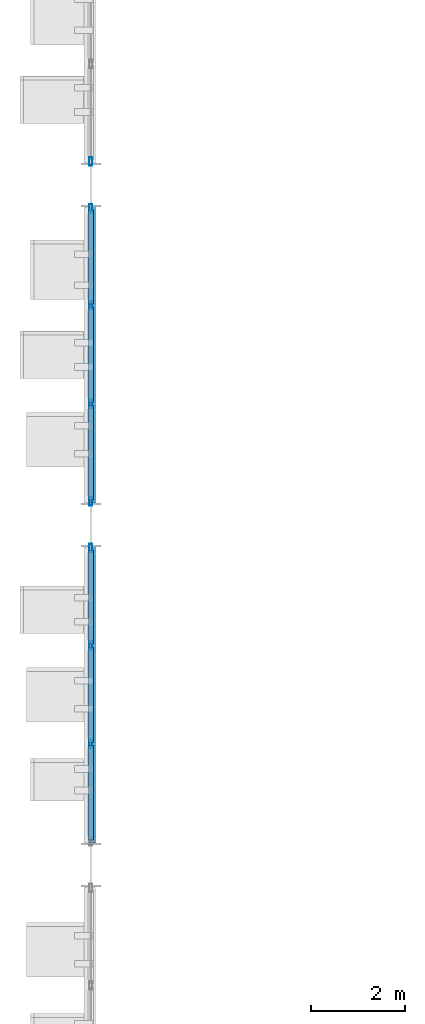
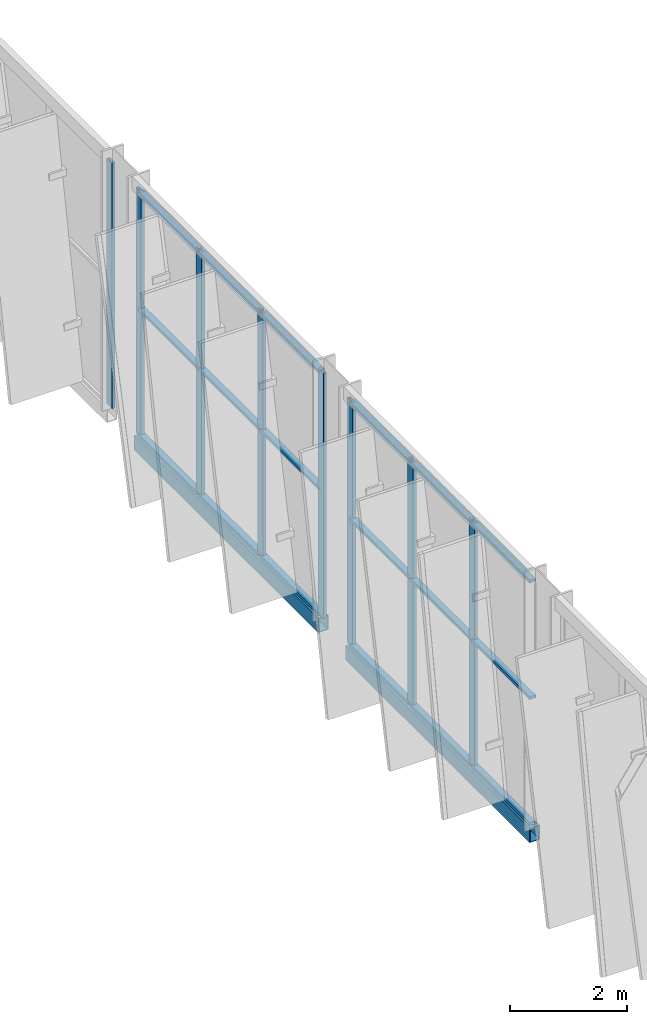
# One storey, part 23 of 189: 26 members, 2 beams, 3 elements without a shape of their own.
"""IFC4 building model written with IfcOpenShell, lengths in metres."""

from ifc_helpers import new_model, si_unit, direction, frame, origin, origin_2d, place, context, subcontext, project, spatial, hollow_rectangle, extrude, material, layer, layer_set, material_profile, profile_set, type_object, element, aggregate, save


model = new_model("IFC4")

# Units and contexts
model_context = context("Model", 3, precision=1e-05, world=origin(), true_north=direction((0.0, 1.0)))
body_context = subcontext(model_context, "Body", "Model", "MODEL_VIEW")
ifc_project = project(units=[si_unit("LENGTHUNIT", "METRE"), si_unit("AREAUNIT", "SQUARE_METRE"), si_unit("VOLUMEUNIT", "CUBIC_METRE"), si_unit("PLANEANGLEUNIT", "RADIAN"), si_unit("MASSUNIT", "GRAM", prefix="KILO")], contexts=[model_context])

# Site, building, storey
site_placement = place(None, origin())
site = spatial("IfcSite", under=ifc_project, at=site_placement, CompositionType="ELEMENT")
building_placement = place(site_placement, origin())
building = spatial("IfcBuilding", under=site, at=building_placement, Name="Celestram Park Convention Centre", CompositionType="ELEMENT")
storey_placement = place(building_placement, frame((0.0, 0.0, 5.39990234375)))
storey = spatial("IfcBuildingStorey", under=building, at=storey_placement, Name="L01", CompositionType="ELEMENT", Elevation=5.39990234375)

# Curtain wall, members
ifc_material_1 = material(Name="Anodised Aluminium Alloy 6063-T6", Category="aluminium")
ifc_layer = layer(ifc_material_1, 0.179931640625)
ifc_layer_set = layer_set([ifc_layer], Name="Anodised Aluminium Alloy 6063-T6")
curtain_wall_type = type_object("IfcCurtainWallType", Name="ARC-CW-627X510", PredefinedType="NOTDEFINED", material=ifc_layer_set)
curtain_wall_1_placement = place(storey_placement, origin())
curtain_wall_1 = element("IfcCurtainWall", 1, at=curtain_wall_1_placement, inside=storey, type_object=curtain_wall_type, Name="Unitised curtain wall CU-L01-115", PredefinedType="NOTDEFINED")
ifc_material_profile_1 = material_profile(ifc_material_1, hollow_rectangle(XDim=0.06494140625, YDim=0.179931640625, WallThickness=0.00390625, at=origin_2d()), Name="ALU65X180X4")
ifc_profile_set_1 = profile_set([ifc_material_profile_1], Name="Anodised Aluminium Alloy 6063-T6")
member_type_1 = type_object("IfcMemberType", Name="ARC-CWM-150", PredefinedType="MULLION", material=ifc_profile_set_1)
member_1_placement = place(storey_placement, frame((0.0, 45.754638671875, 0.0), z_axis=(0.0, 0.0, 1.0), x_axis=(-1.0, 0.0, 0.0)))
member_1 = element("IfcMember", 2, at=member_1_placement, type_object=member_type_1, Name="CW-62X51 mullion 2", PredefinedType="MULLION", context=body_context, shape_type="SweptSolid", body=[
    extrude(hollow_rectangle(XDim=0.06494140625, YDim=0.179931640625, WallThickness=0.00390625, at=origin_2d()), origin(), (0.0, 0.0, 1.0), 5.10009765625),
])
member_2_placement = place(storey_placement, frame((0.0, 47.84521484375, 0.0), z_axis=(0.0, 0.0, 1.0), x_axis=(-1.0, 0.0, 0.0)))
member_2 = element("IfcMember", 3, at=member_2_placement, type_object=member_type_1, Name="CW-62X51 mullion 3", PredefinedType="MULLION", context=body_context, shape_type="SweptSolid", body=[
    extrude(hollow_rectangle(XDim=0.06494140625, YDim=0.179931640625, WallThickness=0.00390625, at=origin_2d()), origin(), (0.0, 0.0, 1.0), 5.10009765625),
])
member_3_placement = place(storey_placement, frame((0.0, 49.903564453125, 0.0), z_axis=(0.0, 0.0, 1.0), x_axis=(-1.0, 0.0, 0.0)))
member_3 = element("IfcMember", 4, at=member_3_placement, type_object=member_type_1, Name="CW-62X51 mullion 4", PredefinedType="MULLION", context=body_context, shape_type="SweptSolid", body=[
    extrude(hollow_rectangle(XDim=0.06494140625, YDim=0.179931640625, WallThickness=0.00390625, at=origin_2d()), origin(), (0.0, 0.0, 1.0), 5.10009765625),
])

curtain_wall_2_placement = place(storey_placement, origin())
curtain_wall_2 = element("IfcCurtainWall", 5, at=curtain_wall_2_placement, inside=storey, type_object=curtain_wall_type, Name="Unitised curtain wall CU-L01-116", PredefinedType="NOTDEFINED")
member_4_placement = place(storey_placement, frame((0.0, 50.896484375, 0.0), z_axis=(0.0, 0.0, 1.0), x_axis=(-1.0, 0.0, 0.0)))
member_4 = element("IfcMember", 6, at=member_4_placement, type_object=member_type_1, Name="CW-62X51 mullion 1", PredefinedType="MULLION", context=body_context, shape_type="SweptSolid", body=[
    extrude(hollow_rectangle(XDim=0.06494140625, YDim=0.179931640625, WallThickness=0.00390625, at=origin_2d()), origin(), (0.0, 0.0, 1.0), 5.10009765625),
])
member_5_placement = place(storey_placement, frame((0.0, 52.95458984375, 0.0), z_axis=(0.0, 0.0, 1.0), x_axis=(-1.0, 0.0, 0.0)))
member_5 = element("IfcMember", 7, at=member_5_placement, type_object=member_type_1, Name="CW-62X51 mullion 2", PredefinedType="MULLION", context=body_context, shape_type="SweptSolid", body=[
    extrude(hollow_rectangle(XDim=0.06494140625, YDim=0.179931640625, WallThickness=0.00390625, at=origin_2d()), origin(), (0.0, 0.0, 1.0), 5.10009765625),
])
member_6_placement = place(storey_placement, frame((0.0, 55.04541015625, 0.0), z_axis=(0.0, 0.0, 1.0), x_axis=(-1.0, 0.0, 0.0)))
member_6 = element("IfcMember", 8, at=member_6_placement, type_object=member_type_1, Name="CW-62X51 mullion 3", PredefinedType="MULLION", context=body_context, shape_type="SweptSolid", body=[
    extrude(hollow_rectangle(XDim=0.06494140625, YDim=0.179931640625, WallThickness=0.00390625, at=origin_2d()), origin(), (0.0, 0.0, 1.0), 5.10009765625),
])
member_7_placement = place(storey_placement, frame((0.0, 57.103515625, 0.0), z_axis=(0.0, 0.0, 1.0), x_axis=(-1.0, 0.0, 0.0)))
member_7 = element("IfcMember", 9, at=member_7_placement, type_object=member_type_1, Name="CW-62X51 mullion 4", PredefinedType="MULLION", context=body_context, shape_type="SweptSolid", body=[
    extrude(hollow_rectangle(XDim=0.06494140625, YDim=0.179931640625, WallThickness=0.00390625, at=origin_2d()), origin(), (0.0, 0.0, 1.0), 5.10009765625),
])

# Curtain wall, member
curtain_wall_3_placement = place(storey_placement, origin())
curtain_wall_3 = element("IfcCurtainWall", 10, at=curtain_wall_3_placement, inside=storey, type_object=curtain_wall_type, Name="Unitised curtain wall CU-L01-117", PredefinedType="NOTDEFINED")
member_8_placement = place(storey_placement, frame((0.0, 58.096435546875, 0.0), z_axis=(0.0, 0.0, 1.0), x_axis=(-1.0, 0.0, 0.0)))
member_8 = element("IfcMember", 11, at=member_8_placement, type_object=member_type_1, Name="CW-62X51 mullion 1", PredefinedType="MULLION", context=body_context, shape_type="SweptSolid", body=[
    extrude(hollow_rectangle(XDim=0.06494140625, YDim=0.179931640625, WallThickness=0.00390625, at=origin_2d()), origin(), (0.0, 0.0, 1.0), 5.10009765625),
])
aggregate(curtain_wall_3, [member_8])

# Member
ifc_material_profile_2 = material_profile(ifc_material_1, hollow_rectangle(XDim=0.1201171875, YDim=0.06005859375, WallThickness=0.0029296875, at=origin_2d()), Name="ALU120X60X3")
ifc_profile_set_2 = profile_set([ifc_material_profile_2], Name="Anodised Aluminium Alloy 6063-T6")
member_type_2 = type_object("IfcMemberType", Name="ARC-CWT-120", PredefinedType="USERDEFINED", material=ifc_profile_set_2)
member_9_placement = place(storey_placement, frame((0.0, 43.72900390625, 0.030029296875), z_axis=(0.0, 1.0, 0.0), x_axis=(-1.0, 0.0, 0.0)))
member_9 = element("IfcMember", 12, at=member_9_placement, type_object=member_type_2, Name="CW-62X51 transom 1.1", ObjectType="TRANSOM", PredefinedType="USERDEFINED", context=body_context, shape_type="SweptSolid", body=[
    extrude(hollow_rectangle(XDim=0.1201171875, YDim=0.06005859375, WallThickness=0.0029296875, at=origin_2d()), origin(), (0.0, 0.0, 1.0), 1.9931640625),
])

member_10_placement = place(storey_placement, frame((0.0, 43.72900390625, 2.650146484375), z_axis=(0.0, 1.0, 0.0), x_axis=(-1.0, 0.0, 0.0)))
member_10 = element("IfcMember", 13, at=member_10_placement, type_object=member_type_2, Name="CW-62X51 transom 1.2", ObjectType="TRANSOM", PredefinedType="USERDEFINED", context=body_context, shape_type="SweptSolid", body=[
    extrude(hollow_rectangle(XDim=0.1201171875, YDim=0.06005859375, WallThickness=0.0029296875, at=origin_2d()), origin(), (0.0, 0.0, 1.0), 1.9931640625),
])

member_11_placement = place(storey_placement, frame((0.0, 43.72900390625, 5.070068359375), z_axis=(0.0, 1.0, 0.0), x_axis=(-1.0, 0.0, 0.0)))
member_11 = element("IfcMember", 14, at=member_11_placement, type_object=member_type_2, Name="CW-62X51 transom 1.3", ObjectType="TRANSOM", PredefinedType="USERDEFINED", context=body_context, shape_type="SweptSolid", body=[
    extrude(hollow_rectangle(XDim=0.1201171875, YDim=0.06005859375, WallThickness=0.0029296875, at=origin_2d()), origin(), (0.0, 0.0, 1.0), 1.9931640625),
])

member_12_placement = place(storey_placement, frame((0.0, 45.787109375, 0.030029296875), z_axis=(0.0, 1.0, 0.0), x_axis=(-1.0, 0.0, 0.0)))
member_12 = element("IfcMember", 15, at=member_12_placement, type_object=member_type_2, Name="CW-62X51 transom 2.1", ObjectType="TRANSOM", PredefinedType="USERDEFINED", context=body_context, shape_type="SweptSolid", body=[
    extrude(hollow_rectangle(XDim=0.1201171875, YDim=0.06005859375, WallThickness=0.0029296875, at=origin_2d()), origin(), (0.0, 0.0, 1.0), 2.025634765625),
])

member_13_placement = place(storey_placement, frame((0.0, 45.787109375, 2.650146484375), z_axis=(0.0, 1.0, 0.0), x_axis=(-1.0, 0.0, 0.0)))
member_13 = element("IfcMember", 16, at=member_13_placement, type_object=member_type_2, Name="CW-62X51 transom 2.2", ObjectType="TRANSOM", PredefinedType="USERDEFINED", context=body_context, shape_type="SweptSolid", body=[
    extrude(hollow_rectangle(XDim=0.1201171875, YDim=0.06005859375, WallThickness=0.0029296875, at=origin_2d()), origin(), (0.0, 0.0, 1.0), 2.025634765625),
])

member_14_placement = place(storey_placement, frame((0.0, 45.787109375, 5.070068359375), z_axis=(0.0, 1.0, 0.0), x_axis=(-1.0, 0.0, 0.0)))
member_14 = element("IfcMember", 17, at=member_14_placement, type_object=member_type_2, Name="CW-62X51 transom 2.3", ObjectType="TRANSOM", PredefinedType="USERDEFINED", context=body_context, shape_type="SweptSolid", body=[
    extrude(hollow_rectangle(XDim=0.1201171875, YDim=0.06005859375, WallThickness=0.0029296875, at=origin_2d()), origin(), (0.0, 0.0, 1.0), 2.025634765625),
])

member_15_placement = place(storey_placement, frame((0.0, 47.8779296875, 0.030029296875), z_axis=(0.0, 1.0, 0.0), x_axis=(-1.0, 0.0, 0.0)))
member_15 = element("IfcMember", 18, at=member_15_placement, type_object=member_type_2, Name="CW-62X51 transom 3.1", ObjectType="TRANSOM", PredefinedType="USERDEFINED", context=body_context, shape_type="SweptSolid", body=[
    extrude(hollow_rectangle(XDim=0.1201171875, YDim=0.06005859375, WallThickness=0.0029296875, at=origin_2d()), origin(), (0.0, 0.0, 1.0), 1.9931640625),
])

member_16_placement = place(storey_placement, frame((0.0, 47.8779296875, 2.650146484375), z_axis=(0.0, 1.0, 0.0), x_axis=(-1.0, 0.0, 0.0)))
member_16 = element("IfcMember", 19, at=member_16_placement, type_object=member_type_2, Name="CW-62X51 transom 3.2", ObjectType="TRANSOM", PredefinedType="USERDEFINED", context=body_context, shape_type="SweptSolid", body=[
    extrude(hollow_rectangle(XDim=0.1201171875, YDim=0.06005859375, WallThickness=0.0029296875, at=origin_2d()), origin(), (0.0, 0.0, 1.0), 1.9931640625),
])

member_17_placement = place(storey_placement, frame((0.0, 47.8779296875, 5.070068359375), z_axis=(0.0, 1.0, 0.0), x_axis=(-1.0, 0.0, 0.0)))
member_17 = element("IfcMember", 20, at=member_17_placement, type_object=member_type_2, Name="CW-62X51 transom 3.3", ObjectType="TRANSOM", PredefinedType="USERDEFINED", context=body_context, shape_type="SweptSolid", body=[
    extrude(hollow_rectangle(XDim=0.1201171875, YDim=0.06005859375, WallThickness=0.0029296875, at=origin_2d()), origin(), (0.0, 0.0, 1.0), 1.9931640625),
])

aggregate(curtain_wall_1, [member_1, member_2, member_3, member_9, member_10, member_11, member_12, member_13, member_14, member_15, member_16, member_17])

member_18_placement = place(storey_placement, frame((0.0, 50.928955078125, 0.030029296875), z_axis=(0.0, 1.0, 0.0), x_axis=(-1.0, 0.0, 0.0)))
member_18 = element("IfcMember", 21, at=member_18_placement, type_object=member_type_2, Name="CW-62X51 transom 1.1", ObjectType="TRANSOM", PredefinedType="USERDEFINED", context=body_context, shape_type="SweptSolid", body=[
    extrude(hollow_rectangle(XDim=0.1201171875, YDim=0.06005859375, WallThickness=0.0029296875, at=origin_2d()), origin(), (0.0, 0.0, 1.0), 1.9931640625),
])

member_19_placement = place(storey_placement, frame((0.0, 50.928955078125, 2.650146484375), z_axis=(0.0, 1.0, 0.0), x_axis=(-1.0, 0.0, 0.0)))
member_19 = element("IfcMember", 22, at=member_19_placement, type_object=member_type_2, Name="CW-62X51 transom 1.2", ObjectType="TRANSOM", PredefinedType="USERDEFINED", context=body_context, shape_type="SweptSolid", body=[
    extrude(hollow_rectangle(XDim=0.1201171875, YDim=0.06005859375, WallThickness=0.0029296875, at=origin_2d()), origin(), (0.0, 0.0, 1.0), 1.9931640625),
])

member_20_placement = place(storey_placement, frame((0.0, 50.928955078125, 5.070068359375), z_axis=(0.0, 1.0, 0.0), x_axis=(-1.0, 0.0, 0.0)))
member_20 = element("IfcMember", 23, at=member_20_placement, type_object=member_type_2, Name="CW-62X51 transom 1.3", ObjectType="TRANSOM", PredefinedType="USERDEFINED", context=body_context, shape_type="SweptSolid", body=[
    extrude(hollow_rectangle(XDim=0.1201171875, YDim=0.06005859375, WallThickness=0.0029296875, at=origin_2d()), origin(), (0.0, 0.0, 1.0), 1.9931640625),
])

member_21_placement = place(storey_placement, frame((0.0, 52.987060546875, 0.030029296875), z_axis=(0.0, 1.0, 0.0), x_axis=(-1.0, 0.0, 0.0)))
member_21 = element("IfcMember", 24, at=member_21_placement, type_object=member_type_2, Name="CW-62X51 transom 2.1", ObjectType="TRANSOM", PredefinedType="USERDEFINED", context=body_context, shape_type="SweptSolid", body=[
    extrude(hollow_rectangle(XDim=0.1201171875, YDim=0.06005859375, WallThickness=0.0029296875, at=origin_2d()), origin(), (0.0, 0.0, 1.0), 2.02587890625),
])

member_22_placement = place(storey_placement, frame((0.0, 52.987060546875, 2.650146484375), z_axis=(0.0, 1.0, 0.0), x_axis=(-1.0, 0.0, 0.0)))
member_22 = element("IfcMember", 25, at=member_22_placement, type_object=member_type_2, Name="CW-62X51 transom 2.2", ObjectType="TRANSOM", PredefinedType="USERDEFINED", context=body_context, shape_type="SweptSolid", body=[
    extrude(hollow_rectangle(XDim=0.1201171875, YDim=0.06005859375, WallThickness=0.0029296875, at=origin_2d()), origin(), (0.0, 0.0, 1.0), 2.02587890625),
])

member_23_placement = place(storey_placement, frame((0.0, 52.987060546875, 5.070068359375), z_axis=(0.0, 1.0, 0.0), x_axis=(-1.0, 0.0, 0.0)))
member_23 = element("IfcMember", 26, at=member_23_placement, type_object=member_type_2, Name="CW-62X51 transom 2.3", ObjectType="TRANSOM", PredefinedType="USERDEFINED", context=body_context, shape_type="SweptSolid", body=[
    extrude(hollow_rectangle(XDim=0.1201171875, YDim=0.06005859375, WallThickness=0.0029296875, at=origin_2d()), origin(), (0.0, 0.0, 1.0), 2.02587890625),
])

member_24_placement = place(storey_placement, frame((0.0, 55.077880859375, 0.030029296875), z_axis=(0.0, 1.0, 0.0), x_axis=(-1.0, 0.0, 0.0)))
member_24 = element("IfcMember", 27, at=member_24_placement, type_object=member_type_2, Name="CW-62X51 transom 3.1", ObjectType="TRANSOM", PredefinedType="USERDEFINED", context=body_context, shape_type="SweptSolid", body=[
    extrude(hollow_rectangle(XDim=0.1201171875, YDim=0.06005859375, WallThickness=0.0029296875, at=origin_2d()), origin(), (0.0, 0.0, 1.0), 1.9931640625),
])

member_25_placement = place(storey_placement, frame((0.0, 55.077880859375, 2.650146484375), z_axis=(0.0, 1.0, 0.0), x_axis=(-1.0, 0.0, 0.0)))
member_25 = element("IfcMember", 28, at=member_25_placement, type_object=member_type_2, Name="CW-62X51 transom 3.2", ObjectType="TRANSOM", PredefinedType="USERDEFINED", context=body_context, shape_type="SweptSolid", body=[
    extrude(hollow_rectangle(XDim=0.1201171875, YDim=0.06005859375, WallThickness=0.0029296875, at=origin_2d()), origin(), (0.0, 0.0, 1.0), 1.9931640625),
])

member_26_placement = place(storey_placement, frame((0.0, 55.077880859375, 5.070068359375), z_axis=(0.0, 1.0, 0.0), x_axis=(-1.0, 0.0, 0.0)))
member_26 = element("IfcMember", 29, at=member_26_placement, type_object=member_type_2, Name="CW-62X51 transom 3.3", ObjectType="TRANSOM", PredefinedType="USERDEFINED", context=body_context, shape_type="SweptSolid", body=[
    extrude(hollow_rectangle(XDim=0.1201171875, YDim=0.06005859375, WallThickness=0.0029296875, at=origin_2d()), origin(), (0.0, 0.0, 1.0), 1.9931640625),
])

aggregate(curtain_wall_2, [member_4, member_5, member_6, member_7, member_18, member_19, member_20, member_21, member_22, member_23, member_24, member_25, member_26])

# Beams
ifc_material_2 = material(Name="Steel ASTM A500 Grade C", Category="steel")
ifc_material_profile_3 = material_profile(ifc_material_2, hollow_rectangle(XDim=0.199951171875, YDim=0.300048828125, WallThickness=0.011962890625, at=origin_2d()), Name="HSS300X200X12")
ifc_profile_set_3 = profile_set([ifc_material_profile_3], Name="Steel ASTM A500 Grade C")
beam_type = type_object("IfcBeamType", Name="STR-SPN-HSS300X200", PredefinedType="SPANDREL", material=ifc_profile_set_3)
for number, where, z_axis, x_axis, name in (
    (30, (0.0, 43.6640625, -0.14990234375), (0.0, 1.0, 0.0), (-1.0, 0.0, 0.0), "High-bay perimeter spandrel SPB-L01-004"),
    (31, (0.0, 50.864013671875, -0.14990234375), (0.0, 1.0, 0.0), (-1.0, 0.0, 0.0), "High-bay perimeter spandrel SPB-L01-005"),
):
    element("IfcBeam", number, at=place(storey_placement, frame(where, z_axis=z_axis, x_axis=x_axis)), inside=storey, type_object=beam_type, Name=name, PredefinedType="SPANDREL", context=body_context, shape_type="SweptSolid", body=[
        extrude(hollow_rectangle(XDim=0.199951171875, YDim=0.300048828125, WallThickness=0.011962890625, at=origin_2d()), origin(), (0.0, 0.0, 1.0), 6.27197265625),
    ])

save(model, "model.ifc")
